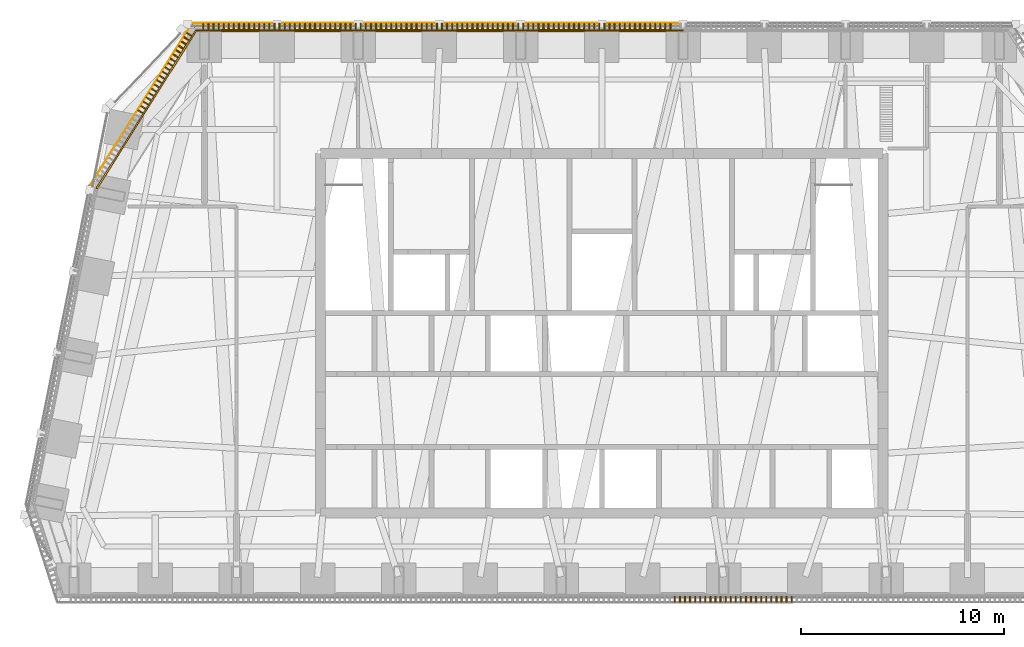
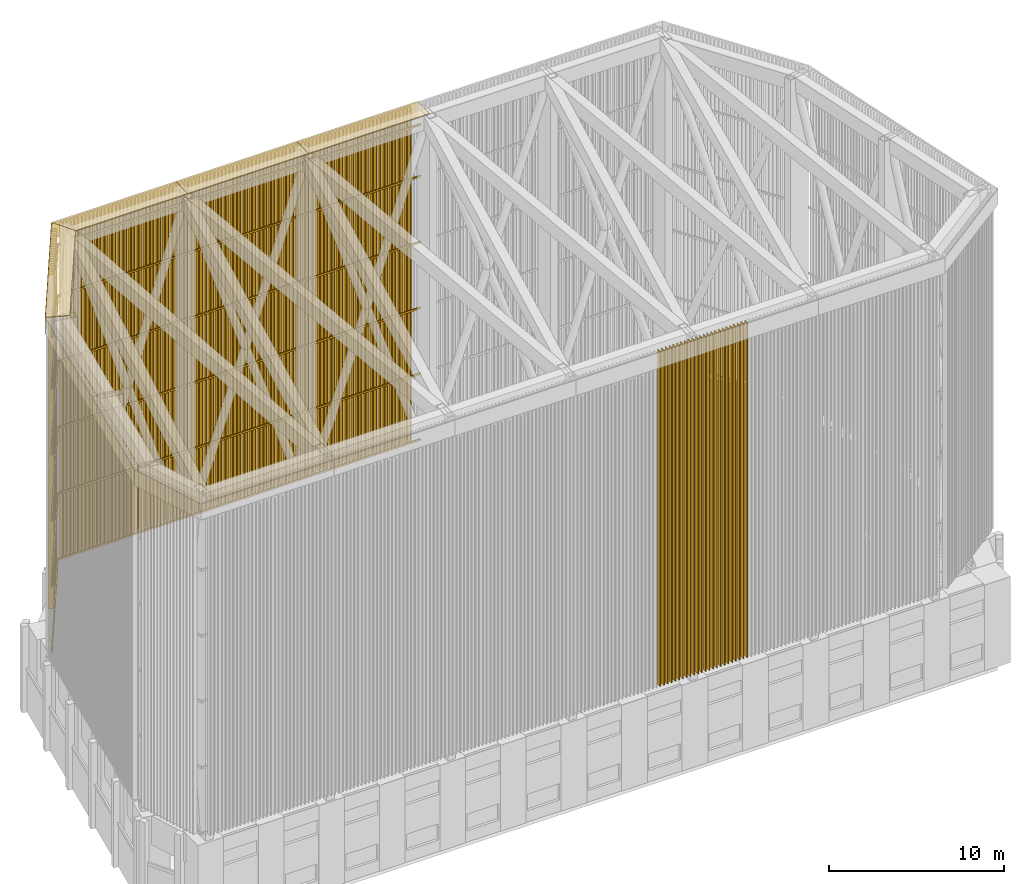
# One storey, part 12 of 15: 160 shading devices, 8 coverings.
"""IFC4 building model written with IfcOpenShell, lengths in metres."""

from ifc_helpers import new_model, si_unit, direction, frame, origin, origin_2d, place, context, subcontext, project, spatial, polyline, rectangle, outline, extrude, material, layer, layer_set, material_profile, profile_set, type_object, element, save


model = new_model("IFC4")

# Units and contexts
model_context = context("Model", 3, precision=1e-05, world=origin(), true_north=direction((0.0, 1.0)))
body_context = subcontext(model_context, "Body", "Model", "MODEL_VIEW")
ifc_project = project(units=[si_unit("LENGTHUNIT", "METRE"), si_unit("AREAUNIT", "SQUARE_METRE"), si_unit("VOLUMEUNIT", "CUBIC_METRE"), si_unit("PLANEANGLEUNIT", "RADIAN"), si_unit("MASSUNIT", "GRAM", prefix="KILO")], contexts=[model_context])

# Site, building, storey
site_placement = place(None, origin())
site = spatial("IfcSite", under=ifc_project, at=site_placement, CompositionType="ELEMENT")
building_placement = place(site_placement, origin())
building = spatial("IfcBuilding", under=site, at=building_placement, Name="Isbrekke Arena Tower", CompositionType="ELEMENT")
storey_placement = place(building_placement, frame((0.0, 0.0, 324.0)))
storey = spatial("IfcBuildingStorey", under=building, at=storey_placement, Name="L76", CompositionType="ELEMENT", Elevation=324.0)

# Shading devices
ifc_material_1 = material(Name="Pre-patinated copper on aluminium core", Category="aluminium")
ifc_material_profile = material_profile(ifc_material_1, rectangle(XDim=0.06005859375, YDim=0.300048828125, at=origin_2d()), Name="FIN 60X300")
ifc_profile_set = profile_set([ifc_material_profile], Name="Pre-patinated copper on aluminium core")
shading_device_type_1 = type_object("IfcShadingDeviceType", Name="CR1 CROWN FIN 60 x 300", PredefinedType="USERDEFINED", material=ifc_profile_set)
for number, where, z_axis, x_axis, name in (
    (1, (3.593017578125, 1.89501953125, 6.60009765625), (0.0, 0.0, 1.0), (1.0, 0.0, 0.0), "CR1 crown fin A120"),
    (2, (3.843017578125, 1.89501953125, 6.60009765625), (0.0, 0.0, 1.0), (1.0, 0.0, 0.0), "CR1 crown fin A121"),
    (3, (4.093017578125, 1.89501953125, 6.60009765625), (0.0, 0.0, 1.0), (1.0, 0.0, 0.0), "CR1 crown fin A122"),
    (4, (4.343017578125, 1.89501953125, 6.60009765625), (0.0, 0.0, 1.0), (1.0, 0.0, 0.0), "CR1 crown fin A123"),
    (5, (4.593017578125, 1.89501953125, 6.60009765625), (0.0, 0.0, 1.0), (1.0, 0.0, 0.0), "CR1 crown fin A124"),
    (6, (4.843017578125, 1.89501953125, 6.60009765625), (0.0, 0.0, 1.0), (1.0, 0.0, 0.0), "CR1 crown fin A125"),
    (7, (5.093017578125, 1.89501953125, 6.60009765625), (0.0, 0.0, 1.0), (1.0, 0.0, 0.0), "CR1 crown fin A126"),
    (8, (5.343017578125, 1.89501953125, 6.60009765625), (0.0, 0.0, 1.0), (1.0, 0.0, 0.0), "CR1 crown fin A127"),
    (9, (5.593017578125, 1.89501953125, 6.60009765625), (0.0, 0.0, 1.0), (1.0, 0.0, 0.0), "CR1 crown fin A128"),
    (10, (5.843017578125, 1.89501953125, 6.60009765625), (0.0, 0.0, 1.0), (1.0, 0.0, 0.0), "CR1 crown fin A129"),
    (11, (6.093017578125, 1.89501953125, 6.60009765625), (0.0, 0.0, 1.0), (1.0, 0.0, 0.0), "CR1 crown fin A130"),
    (12, (6.343017578125, 1.89501953125, 6.60009765625), (0.0, 0.0, 1.0), (1.0, 0.0, 0.0), "CR1 crown fin A131"),
    (13, (6.593017578125, 1.89501953125, 6.60009765625), (0.0, 0.0, 1.0), (1.0, 0.0, 0.0), "CR1 crown fin A132"),
    (14, (6.843017578125, 1.89501953125, 6.60009765625), (0.0, 0.0, 1.0), (1.0, 0.0, 0.0), "CR1 crown fin A133"),
    (15, (7.093017578125, 1.89501953125, 6.60009765625), (0.0, 0.0, 1.0), (1.0, 0.0, 0.0), "CR1 crown fin A134"),
    (16, (7.343017578125, 1.89501953125, 6.60009765625), (0.0, 0.0, 1.0), (1.0, 0.0, 0.0), "CR1 crown fin A135"),
    (17, (7.593017578125, 1.89501953125, 6.60009765625), (0.0, 0.0, 1.0), (1.0, 0.0, 0.0), "CR1 crown fin A136"),
    (18, (7.843017578125, 1.89501953125, 6.60009765625), (0.0, 0.0, 1.0), (1.0, 0.0, 0.0), "CR1 crown fin A137"),
    (19, (8.093017578125, 1.89501953125, 6.60009765625), (0.0, 0.0, 1.0), (1.0, 0.0, 0.0), "CR1 crown fin A138"),
    (20, (8.343017578125, 1.89501953125, 6.60009765625), (0.0, 0.0, 1.0), (1.0, 0.0, 0.0), "CR1 crown fin A139"),
    (21, (8.593017578125, 1.89501953125, 6.60009765625), (0.0, 0.0, 1.0), (1.0, 0.0, 0.0), "CR1 crown fin A140"),
    (22, (8.843017578125, 1.89501953125, 6.60009765625), (0.0, 0.0, 1.0), (1.0, 0.0, 0.0), "CR1 crown fin A141"),
    (23, (9.093017578125, 1.89501953125, 6.60009765625), (0.0, 0.0, 1.0), (1.0, 0.0, 0.0), "CR1 crown fin A142"),
    (24, (9.343017578125, 1.89501953125, 6.60009765625), (0.0, 0.0, 1.0), (1.0, 0.0, 0.0), "CR1 crown fin A143"),
    (25, (3.375, 30.10498046875, 6.60009765625), (0.0, 0.0, 1.0), (-1.0, 0.0, 0.0), "CR1 crown fin E66"),
    (26, (3.125, 30.10498046875, 6.60009765625), (0.0, 0.0, 1.0), (-1.0, 0.0, 0.0), "CR1 crown fin E67"),
    (27, (2.875, 30.10498046875, 6.60009765625), (0.0, 0.0, 1.0), (-1.0, 0.0, 0.0), "CR1 crown fin E68"),
    (28, (2.625, 30.10498046875, 6.60009765625), (0.0, 0.0, 1.0), (-1.0, 0.0, 0.0), "CR1 crown fin E69"),
    (29, (2.375, 30.10498046875, 6.60009765625), (0.0, 0.0, 1.0), (-1.0, 0.0, 0.0), "CR1 crown fin E70"),
    (30, (2.125, 30.10498046875, 6.60009765625), (0.0, 0.0, 1.0), (-1.0, 0.0, 0.0), "CR1 crown fin E71"),
    (31, (1.875, 30.10498046875, 6.60009765625), (0.0, 0.0, 1.0), (-1.0, 0.0, 0.0), "CR1 crown fin E72"),
    (32, (1.625, 30.10498046875, 6.60009765625), (0.0, 0.0, 1.0), (-1.0, 0.0, 0.0), "CR1 crown fin E73"),
    (33, (1.375, 30.10498046875, 6.60009765625), (0.0, 0.0, 1.0), (-1.0, 0.0, 0.0), "CR1 crown fin E74"),
    (34, (1.125, 30.10498046875, 6.60009765625), (0.0, 0.0, 1.0), (-1.0, 0.0, 0.0), "CR1 crown fin E75"),
    (35, (0.875, 30.10498046875, 6.60009765625), (0.0, 0.0, 1.0), (-1.0, 0.0, 0.0), "CR1 crown fin E76"),
    (36, (0.625, 30.10498046875, 6.60009765625), (0.0, 0.0, 1.0), (-1.0, 0.0, 0.0), "CR1 crown fin E77"),
    (37, (0.375, 30.10498046875, 6.60009765625), (0.0, 0.0, 1.0), (-1.0, 0.0, 0.0), "CR1 crown fin E78"),
    (38, (0.125, 30.10498046875, 6.60009765625), (0.0, 0.0, 1.0), (-1.0, 0.0, 0.0), "CR1 crown fin E79"),
    (39, (-0.125, 30.10498046875, 6.60009765625), (0.0, 0.0, 1.0), (-1.0, 0.0, 0.0), "CR1 crown fin E80"),
    (40, (-0.375, 30.10498046875, 6.60009765625), (0.0, 0.0, 1.0), (-1.0, 0.0, 0.0), "CR1 crown fin E81"),
    (41, (-0.625, 30.10498046875, 6.60009765625), (0.0, 0.0, 1.0), (-1.0, 0.0, 0.0), "CR1 crown fin E82"),
    (42, (-0.875, 30.10498046875, 6.60009765625), (0.0, 0.0, 1.0), (-1.0, 0.0, 0.0), "CR1 crown fin E83"),
    (43, (-1.125, 30.10498046875, 6.60009765625), (0.0, 0.0, 1.0), (-1.0, 0.0, 0.0), "CR1 crown fin E84"),
    (44, (-1.375, 30.10498046875, 6.60009765625), (0.0, 0.0, 1.0), (-1.0, 0.0, 0.0), "CR1 crown fin E85"),
    (45, (-1.625, 30.10498046875, 6.60009765625), (0.0, 0.0, 1.0), (-1.0, 0.0, 0.0), "CR1 crown fin E86"),
    (46, (-1.875, 30.10498046875, 6.60009765625), (0.0, 0.0, 1.0), (-1.0, 0.0, 0.0), "CR1 crown fin E87"),
    (47, (-2.125, 30.10498046875, 6.60009765625), (0.0, 0.0, 1.0), (-1.0, 0.0, 0.0), "CR1 crown fin E88"),
    (48, (-2.375, 30.10498046875, 6.60009765625), (0.0, 0.0, 1.0), (-1.0, 0.0, 0.0), "CR1 crown fin E89"),
    (49, (-2.625, 30.10498046875, 6.60009765625), (0.0, 0.0, 1.0), (-1.0, 0.0, 0.0), "CR1 crown fin E90"),
    (50, (-2.875, 30.10498046875, 6.60009765625), (0.0, 0.0, 1.0), (-1.0, 0.0, 0.0), "CR1 crown fin E91"),
    (51, (-3.125, 30.10498046875, 6.60009765625), (0.0, 0.0, 1.0), (-1.0, 0.0, 0.0), "CR1 crown fin E92"),
    (52, (-3.375, 30.10498046875, 6.60009765625), (0.0, 0.0, 1.0), (-1.0, 0.0, 0.0), "CR1 crown fin E93"),
    (53, (-3.625, 30.10498046875, 6.60009765625), (0.0, 0.0, 1.0), (-1.0, 0.0, 0.0), "CR1 crown fin E94"),
    (54, (-3.875, 30.10498046875, 6.60009765625), (0.0, 0.0, 1.0), (-1.0, 0.0, 0.0), "CR1 crown fin E95"),
    (55, (-4.125, 30.10498046875, 6.60009765625), (0.0, 0.0, 1.0), (-1.0, 0.0, 0.0), "CR1 crown fin E96"),
    (56, (-4.375, 30.10498046875, 6.60009765625), (0.0, 0.0, 1.0), (-1.0, 0.0, 0.0), "CR1 crown fin E97"),
    (57, (-4.625, 30.10498046875, 6.60009765625), (0.0, 0.0, 1.0), (-1.0, 0.0, 0.0), "CR1 crown fin E98"),
    (58, (-4.875, 30.10498046875, 6.60009765625), (0.0, 0.0, 1.0), (-1.0, 0.0, 0.0), "CR1 crown fin E99"),
    (59, (-5.125, 30.10498046875, 6.60009765625), (0.0, 0.0, 1.0), (-1.0, 0.0, 0.0), "CR1 crown fin E100"),
    (60, (-5.375, 30.10498046875, 6.60009765625), (0.0, 0.0, 1.0), (-1.0, 0.0, 0.0), "CR1 crown fin E101"),
    (61, (-5.625, 30.10498046875, 6.60009765625), (0.0, 0.0, 1.0), (-1.0, 0.0, 0.0), "CR1 crown fin E102"),
    (62, (-5.875, 30.10498046875, 6.60009765625), (0.0, 0.0, 1.0), (-1.0, 0.0, 0.0), "CR1 crown fin E103"),
    (63, (-6.125, 30.10498046875, 6.60009765625), (0.0, 0.0, 1.0), (-1.0, 0.0, 0.0), "CR1 crown fin E104"),
    (64, (-6.375, 30.10498046875, 6.60009765625), (0.0, 0.0, 1.0), (-1.0, 0.0, 0.0), "CR1 crown fin E105"),
    (65, (-6.625, 30.10498046875, 6.60009765625), (0.0, 0.0, 1.0), (-1.0, 0.0, 0.0), "CR1 crown fin E106"),
    (66, (-6.875, 30.10498046875, 6.60009765625), (0.0, 0.0, 1.0), (-1.0, 0.0, 0.0), "CR1 crown fin E107"),
    (67, (-7.125, 30.10498046875, 6.60009765625), (0.0, 0.0, 1.0), (-1.0, 0.0, 0.0), "CR1 crown fin E108"),
    (68, (-7.375, 30.10498046875, 6.60009765625), (0.0, 0.0, 1.0), (-1.0, 0.0, 0.0), "CR1 crown fin E109"),
    (69, (-7.625, 30.10498046875, 6.60009765625), (0.0, 0.0, 1.0), (-1.0, 0.0, 0.0), "CR1 crown fin E110"),
    (70, (-7.875, 30.10498046875, 6.60009765625), (0.0, 0.0, 1.0), (-1.0, 0.0, 0.0), "CR1 crown fin E111"),
    (71, (-8.125, 30.10498046875, 6.60009765625), (0.0, 0.0, 1.0), (-1.0, 0.0, 0.0), "CR1 crown fin E112"),
    (72, (-8.375, 30.10498046875, 6.60009765625), (0.0, 0.0, 1.0), (-1.0, 0.0, 0.0), "CR1 crown fin E113"),
    (73, (-8.625, 30.10498046875, 6.60009765625), (0.0, 0.0, 1.0), (-1.0, 0.0, 0.0), "CR1 crown fin E114"),
    (74, (-8.875, 30.10498046875, 6.60009765625), (0.0, 0.0, 1.0), (-1.0, 0.0, 0.0), "CR1 crown fin E115"),
    (75, (-9.125, 30.10498046875, 6.60009765625), (0.0, 0.0, 1.0), (-1.0, 0.0, 0.0), "CR1 crown fin E116"),
    (76, (-9.375, 30.10498046875, 6.60009765625), (0.0, 0.0, 1.0), (-1.0, 0.0, 0.0), "CR1 crown fin E117"),
    (77, (-9.625, 30.10498046875, 6.60009765625), (0.0, 0.0, 1.0), (-1.0, 0.0, 0.0), "CR1 crown fin E118"),
    (78, (-9.875, 30.10498046875, 6.60009765625), (0.0, 0.0, 1.0), (-1.0, 0.0, 0.0), "CR1 crown fin E119"),
    (79, (-10.125, 30.10498046875, 6.60009765625), (0.0, 0.0, 1.0), (-1.0, 0.0, 0.0), "CR1 crown fin E120"),
    (80, (-10.375, 30.10498046875, 6.60009765625), (0.0, 0.0, 1.0), (-1.0, 0.0, 0.0), "CR1 crown fin E121"),
    (81, (-10.625, 30.10498046875, 6.60009765625), (0.0, 0.0, 1.0), (-1.0, 0.0, 0.0), "CR1 crown fin E122"),
    (82, (-10.875, 30.10498046875, 6.60009765625), (0.0, 0.0, 1.0), (-1.0, 0.0, 0.0), "CR1 crown fin E123"),
    (83, (-11.125, 30.10498046875, 6.60009765625), (0.0, 0.0, 1.0), (-1.0, 0.0, 0.0), "CR1 crown fin E124"),
    (84, (-11.375, 30.10498046875, 6.60009765625), (0.0, 0.0, 1.0), (-1.0, 0.0, 0.0), "CR1 crown fin E125"),
    (85, (-11.625, 30.10498046875, 6.60009765625), (0.0, 0.0, 1.0), (-1.0, 0.0, 0.0), "CR1 crown fin E126"),
    (86, (-11.875, 30.10498046875, 6.60009765625), (0.0, 0.0, 1.0), (-1.0, 0.0, 0.0), "CR1 crown fin E127"),
    (87, (-12.125, 30.10498046875, 6.60009765625), (0.0, 0.0, 1.0), (-1.0, 0.0, 0.0), "CR1 crown fin E128"),
    (88, (-12.375, 30.10498046875, 6.60009765625), (0.0, 0.0, 1.0), (-1.0, 0.0, 0.0), "CR1 crown fin E129"),
    (89, (-12.625, 30.10498046875, 6.60009765625), (0.0, 0.0, 1.0), (-1.0, 0.0, 0.0), "CR1 crown fin E130"),
    (90, (-12.875, 30.10498046875, 6.60009765625), (0.0, 0.0, 1.0), (-1.0, 0.0, 0.0), "CR1 crown fin E131"),
    (91, (-13.125, 30.10498046875, 6.60009765625), (0.0, 0.0, 1.0), (-1.0, 0.0, 0.0), "CR1 crown fin E132"),
    (92, (-13.375, 30.10498046875, 6.60009765625), (0.0, 0.0, 1.0), (-1.0, 0.0, 0.0), "CR1 crown fin E133"),
    (93, (-13.625, 30.10498046875, 6.60009765625), (0.0, 0.0, 1.0), (-1.0, 0.0, 0.0), "CR1 crown fin E134"),
    (94, (-13.875, 30.10498046875, 6.60009765625), (0.0, 0.0, 1.0), (-1.0, 0.0, 0.0), "CR1 crown fin E135"),
    (95, (-14.125, 30.10498046875, 6.60009765625), (0.0, 0.0, 1.0), (-1.0, 0.0, 0.0), "CR1 crown fin E136"),
    (96, (-14.375, 30.10498046875, 6.60009765625), (0.0, 0.0, 1.0), (-1.0, 0.0, 0.0), "CR1 crown fin E137"),
    (97, (-14.625, 30.10498046875, 6.60009765625), (0.0, 0.0, 1.0), (-1.0, 0.0, 0.0), "CR1 crown fin E138"),
    (98, (-14.875, 30.10498046875, 6.60009765625), (0.0, 0.0, 1.0), (-1.0, 0.0, 0.0), "CR1 crown fin E139"),
    (99, (-15.125, 30.10498046875, 6.60009765625), (0.0, 0.0, 1.0), (-1.0, 0.0, 0.0), "CR1 crown fin E140"),
    (100, (-15.375, 30.10498046875, 6.60009765625), (0.0, 0.0, 1.0), (-1.0, 0.0, 0.0), "CR1 crown fin E141"),
    (101, (-15.625, 30.10498046875, 6.60009765625), (0.0, 0.0, 1.0), (-1.0, 0.0, 0.0), "CR1 crown fin E142"),
    (102, (-15.875, 30.10498046875, 6.60009765625), (0.0, 0.0, 1.0), (-1.0, 0.0, 0.0), "CR1 crown fin E143"),
    (103, (-16.125, 30.10498046875, 6.60009765625), (0.0, 0.0, 1.0), (-1.0, 0.0, 0.0), "CR1 crown fin E144"),
    (104, (-16.375, 30.10498046875, 6.60009765625), (0.0, 0.0, 1.0), (-1.0, 0.0, 0.0), "CR1 crown fin E145"),
    (105, (-16.625, 30.10498046875, 6.60009765625), (0.0, 0.0, 1.0), (-1.0, 0.0, 0.0), "CR1 crown fin E146"),
    (106, (-16.875, 30.10498046875, 6.60009765625), (0.0, 0.0, 1.0), (-1.0, 0.0, 0.0), "CR1 crown fin E147"),
    (107, (-17.125, 30.10498046875, 6.60009765625), (0.0, 0.0, 1.0), (-1.0, 0.0, 0.0), "CR1 crown fin E148"),
    (108, (-17.375, 30.10498046875, 6.60009765625), (0.0, 0.0, 1.0), (-1.0, 0.0, 0.0), "CR1 crown fin E149"),
    (109, (-17.625, 30.10498046875, 6.60009765625), (0.0, 0.0, 1.0), (-1.0, 0.0, 0.0), "CR1 crown fin E150"),
    (110, (-17.875, 30.10498046875, 6.60009765625), (0.0, 0.0, 1.0), (-1.0, 0.0, 0.0), "CR1 crown fin E151"),
    (111, (-18.125, 30.10498046875, 6.60009765625), (0.0, 0.0, 1.0), (-1.0, 0.0, 0.0), "CR1 crown fin E152"),
    (112, (-18.375, 30.10498046875, 6.60009765625), (0.0, 0.0, 1.0), (-1.0, 0.0, 0.0), "CR1 crown fin E153"),
    (113, (-18.625, 30.10498046875, 6.60009765625), (0.0, 0.0, 1.0), (-1.0, 0.0, 0.0), "CR1 crown fin E154"),
    (114, (-18.875, 30.10498046875, 6.60009765625), (0.0, 0.0, 1.0), (-1.0, 0.0, 0.0), "CR1 crown fin E155"),
    (115, (-19.125, 30.10498046875, 6.60009765625), (0.0, 0.0, 1.0), (-1.0, 0.0, 0.0), "CR1 crown fin E156"),
    (116, (-19.375, 30.10498046875, 6.60009765625), (0.0, 0.0, 1.0), (-1.0, 0.0, 0.0), "CR1 crown fin E157"),
    (117, (-19.625, 30.10498046875, 6.60009765625), (0.0, 0.0, 1.0), (-1.0, 0.0, 0.0), "CR1 crown fin E158"),
    (118, (-20.33056640625, 29.720703125, 6.60009765625), (0.0, 0.0, 1.0), (-0.532528793806, -0.846411887775, 0.0), "CR1 crown fin F1"),
    (119, (-20.463623046875, 29.509033203125, 6.60009765625), (0.0, 0.0, 1.0), (-0.532528793806, -0.846411887775, 0.0), "CR1 crown fin F2"),
    (120, (-20.5966796875, 29.29736328125, 6.60009765625), (0.0, 0.0, 1.0), (-0.532528793806, -0.846411887775, 0.0), "CR1 crown fin F3"),
    (121, (-20.72998046875, 29.0859375, 6.60009765625), (0.0, 0.0, 1.0), (-0.532528793806, -0.846411887775, 0.0), "CR1 crown fin F4"),
    (122, (-20.863037109375, 28.874267578125, 6.60009765625), (0.0, 0.0, 1.0), (-0.532528793806, -0.846411887775, 0.0), "CR1 crown fin F5"),
    (123, (-20.99609375, 28.66259765625, 6.60009765625), (0.0, 0.0, 1.0), (-0.532528793806, -0.846411887775, 0.0), "CR1 crown fin F6"),
    (124, (-21.129150390625, 28.450927734375, 6.60009765625), (0.0, 0.0, 1.0), (-0.532528793806, -0.846411887775, 0.0), "CR1 crown fin F7"),
    (125, (-21.262451171875, 28.239501953125, 6.60009765625), (0.0, 0.0, 1.0), (-0.532528793806, -0.846411887775, 0.0), "CR1 crown fin F8"),
    (126, (-21.3955078125, 28.02783203125, 6.60009765625), (0.0, 0.0, 1.0), (-0.532528793806, -0.846411887775, 0.0), "CR1 crown fin F9"),
    (127, (-21.528564453125, 27.816162109375, 6.60009765625), (0.0, 0.0, 1.0), (-0.532528793806, -0.846411887775, 0.0), "CR1 crown fin F10"),
    (128, (-21.661865234375, 27.6044921875, 6.60009765625), (0.0, 0.0, 1.0), (-0.532528793806, -0.846411887775, 0.0), "CR1 crown fin F11"),
    (129, (-21.794921875, 27.39306640625, 6.60009765625), (0.0, 0.0, 1.0), (-0.532528793806, -0.846411887775, 0.0), "CR1 crown fin F12"),
    (130, (-21.927978515625, 27.181396484375, 6.60009765625), (0.0, 0.0, 1.0), (-0.532528793806, -0.846411887775, 0.0), "CR1 crown fin F13"),
    (131, (-22.061279296875, 26.9697265625, 6.60009765625), (0.0, 0.0, 1.0), (-0.532528793806, -0.846411887775, 0.0), "CR1 crown fin F14"),
    (132, (-22.1943359375, 26.75830078125, 6.60009765625), (0.0, 0.0, 1.0), (-0.532528793806, -0.846411887775, 0.0), "CR1 crown fin F15"),
    (133, (-22.327392578125, 26.546630859375, 6.60009765625), (0.0, 0.0, 1.0), (-0.532528793806, -0.846411887775, 0.0), "CR1 crown fin F16"),
    (134, (-22.460693359375, 26.3349609375, 6.60009765625), (0.0, 0.0, 1.0), (-0.532528793806, -0.846411887775, 0.0), "CR1 crown fin F17"),
    (135, (-22.59375, 26.123291015625, 6.60009765625), (0.0, 0.0, 1.0), (-0.532528793806, -0.846411887775, 0.0), "CR1 crown fin F18"),
    (136, (-22.726806640625, 25.911865234375, 6.60009765625), (0.0, 0.0, 1.0), (-0.532528793806, -0.846411887775, 0.0), "CR1 crown fin F19"),
):
    element("IfcShadingDevice", number, at=place(storey_placement, frame(where, z_axis=z_axis, x_axis=x_axis)), inside=storey, type_object=shading_device_type_1, Name=name, ObjectType="CROWN FIN", PredefinedType="USERDEFINED", context=body_context, shape_type="SweptSolid", body=[
        extrude(rectangle(XDim=0.06005859375, YDim=0.300048828125, at=origin_2d()), origin(), (0.0, 0.0, 1.0), 23.39990234375),
    ])
ifc_material_2 = material(Name="Galvanised steel RHS 120 x 80 x 5", Category="steel")
shading_device_type_2 = type_object("IfcShadingDeviceType", Name="CR2 CROWN SCREEN RAIL RHS 120 x 80", PredefinedType="USERDEFINED", material=ifc_material_2)
shading_device_1_placement = place(storey_placement, frame((0.0, 0.0, 6.60009765625)))
element("IfcShadingDevice", 137, at=shading_device_1_placement, inside=storey, type_object=shading_device_type_2, Name="CR2 crown screen rail 1 bay E3", ObjectType="CROWN SCREEN RAIL", PredefinedType="USERDEFINED", context=body_context, shape_type="SweptSolid", body=[
    extrude(outline(polyline([(4.0, 29.875), (-4.0, 29.875), (-4.0, 29.955078125), (4.0, 29.955078125), (4.0, 29.875)])), origin(), (0.0, 0.0, 1.0), 0.119873046875),
])
shading_device_2_placement = place(storey_placement, frame((0.0, 0.0, 11.199951171875)))
element("IfcShadingDevice", 138, at=shading_device_2_placement, inside=storey, type_object=shading_device_type_2, Name="CR2 crown screen rail 2 bay E3", ObjectType="CROWN SCREEN RAIL", PredefinedType="USERDEFINED", context=body_context, shape_type="SweptSolid", body=[
    extrude(outline(polyline([(4.0, 29.875), (-4.0, 29.875), (-4.0, 29.955078125), (4.0, 29.955078125), (4.0, 29.875)])), origin(), (0.0, 0.0, 1.0), 0.1201171875),
])
shading_device_3_placement = place(storey_placement, frame((0.0, 0.0, 15.800048828125)))
element("IfcShadingDevice", 139, at=shading_device_3_placement, inside=storey, type_object=shading_device_type_2, Name="CR2 crown screen rail 3 bay E3", ObjectType="CROWN SCREEN RAIL", PredefinedType="USERDEFINED", context=body_context, shape_type="SweptSolid", body=[
    extrude(outline(polyline([(4.0, 29.875), (-4.0, 29.875), (-4.0, 29.955078125), (4.0, 29.955078125), (4.0, 29.875)])), origin(), (0.0, 0.0, 1.0), 0.119873046875),
])
for number, where, name in (
    (140, (0.0, 0.0, 20.39990234375), "CR2 crown screen rail 4 bay E3"),
    (141, (0.0, 0.0, 25.0), "CR2 crown screen rail 5 bay E3"),
):
    element("IfcShadingDevice", number, at=place(storey_placement, frame(where)), inside=storey, type_object=shading_device_type_2, Name=name, ObjectType="CROWN SCREEN RAIL", PredefinedType="USERDEFINED", context=body_context, shape_type="SweptSolid", body=[
        extrude(outline(polyline([(4.0, 29.875), (-4.0, 29.875), (-4.0, 29.955078125), (4.0, 29.955078125), (4.0, 29.875)])), origin(), (0.0, 0.0, 1.0), 0.1201171875),
    ])
shading_device_4_placement = place(storey_placement, frame((0.0, 0.0, 28.60009765625)))
element("IfcShadingDevice", 142, at=shading_device_4_placement, inside=storey, type_object=shading_device_type_2, Name="CR2 crown screen rail 6 bay E3", ObjectType="CROWN SCREEN RAIL", PredefinedType="USERDEFINED", context=body_context, shape_type="SweptSolid", body=[
    extrude(outline(polyline([(4.0, 29.875), (-4.0, 29.875), (-4.0, 29.955078125), (4.0, 29.955078125), (4.0, 29.875)])), origin(), (0.0, 0.0, 1.0), 0.119873046875),
])
shading_device_5_placement = place(storey_placement, frame((0.0, 0.0, 6.60009765625)))
element("IfcShadingDevice", 143, at=shading_device_5_placement, inside=storey, type_object=shading_device_type_2, Name="CR2 crown screen rail 1 bay E4", ObjectType="CROWN SCREEN RAIL", PredefinedType="USERDEFINED", context=body_context, shape_type="SweptSolid", body=[
    extrude(outline(polyline([(-4.0, 29.875), (-12.0, 29.875), (-12.0, 29.955078125), (-4.0, 29.955078125), (-4.0, 29.875)])), origin(), (0.0, 0.0, 1.0), 0.119873046875),
])
shading_device_6_placement = place(storey_placement, frame((0.0, 0.0, 11.199951171875)))
element("IfcShadingDevice", 144, at=shading_device_6_placement, inside=storey, type_object=shading_device_type_2, Name="CR2 crown screen rail 2 bay E4", ObjectType="CROWN SCREEN RAIL", PredefinedType="USERDEFINED", context=body_context, shape_type="SweptSolid", body=[
    extrude(outline(polyline([(-4.0, 29.875), (-12.0, 29.875), (-12.0, 29.955078125), (-4.0, 29.955078125), (-4.0, 29.875)])), origin(), (0.0, 0.0, 1.0), 0.1201171875),
])
shading_device_7_placement = place(storey_placement, frame((0.0, 0.0, 15.800048828125)))
element("IfcShadingDevice", 145, at=shading_device_7_placement, inside=storey, type_object=shading_device_type_2, Name="CR2 crown screen rail 3 bay E4", ObjectType="CROWN SCREEN RAIL", PredefinedType="USERDEFINED", context=body_context, shape_type="SweptSolid", body=[
    extrude(outline(polyline([(-4.0, 29.875), (-12.0, 29.875), (-12.0, 29.955078125), (-4.0, 29.955078125), (-4.0, 29.875)])), origin(), (0.0, 0.0, 1.0), 0.119873046875),
])
for number, where, name in (
    (146, (0.0, 0.0, 20.39990234375), "CR2 crown screen rail 4 bay E4"),
    (147, (0.0, 0.0, 25.0), "CR2 crown screen rail 5 bay E4"),
):
    element("IfcShadingDevice", number, at=place(storey_placement, frame(where)), inside=storey, type_object=shading_device_type_2, Name=name, ObjectType="CROWN SCREEN RAIL", PredefinedType="USERDEFINED", context=body_context, shape_type="SweptSolid", body=[
        extrude(outline(polyline([(-4.0, 29.875), (-12.0, 29.875), (-12.0, 29.955078125), (-4.0, 29.955078125), (-4.0, 29.875)])), origin(), (0.0, 0.0, 1.0), 0.1201171875),
    ])
shading_device_8_placement = place(storey_placement, frame((0.0, 0.0, 28.60009765625)))
element("IfcShadingDevice", 148, at=shading_device_8_placement, inside=storey, type_object=shading_device_type_2, Name="CR2 crown screen rail 6 bay E4", ObjectType="CROWN SCREEN RAIL", PredefinedType="USERDEFINED", context=body_context, shape_type="SweptSolid", body=[
    extrude(outline(polyline([(-4.0, 29.875), (-12.0, 29.875), (-12.0, 29.955078125), (-4.0, 29.955078125), (-4.0, 29.875)])), origin(), (0.0, 0.0, 1.0), 0.119873046875),
])
shading_device_9_placement = place(storey_placement, frame((0.0, 0.0, 6.60009765625)))
element("IfcShadingDevice", 149, at=shading_device_9_placement, inside=storey, type_object=shading_device_type_2, Name="CR2 crown screen rail 1 bay E5", ObjectType="CROWN SCREEN RAIL", PredefinedType="USERDEFINED", context=body_context, shape_type="SweptSolid", body=[
    extrude(outline(polyline([(-12.0, 29.875), (-19.961669921875, 29.875), (-20.005859375, 29.955078125), (-12.0, 29.955078125), (-12.0, 29.875)])), origin(), (0.0, 0.0, 1.0), 0.119873046875),
])
shading_device_10_placement = place(storey_placement, frame((0.0, 0.0, 11.199951171875)))
element("IfcShadingDevice", 150, at=shading_device_10_placement, inside=storey, type_object=shading_device_type_2, Name="CR2 crown screen rail 2 bay E5", ObjectType="CROWN SCREEN RAIL", PredefinedType="USERDEFINED", context=body_context, shape_type="SweptSolid", body=[
    extrude(outline(polyline([(-12.0, 29.875), (-19.961669921875, 29.875), (-20.005859375, 29.955078125), (-12.0, 29.955078125), (-12.0, 29.875)])), origin(), (0.0, 0.0, 1.0), 0.1201171875),
])
shading_device_11_placement = place(storey_placement, frame((0.0, 0.0, 15.800048828125)))
element("IfcShadingDevice", 151, at=shading_device_11_placement, inside=storey, type_object=shading_device_type_2, Name="CR2 crown screen rail 3 bay E5", ObjectType="CROWN SCREEN RAIL", PredefinedType="USERDEFINED", context=body_context, shape_type="SweptSolid", body=[
    extrude(outline(polyline([(-12.0, 29.875), (-19.961669921875, 29.875), (-20.005859375, 29.955078125), (-12.0, 29.955078125), (-12.0, 29.875)])), origin(), (0.0, 0.0, 1.0), 0.119873046875),
])
for number, where, name in (
    (152, (0.0, 0.0, 20.39990234375), "CR2 crown screen rail 4 bay E5"),
    (153, (0.0, 0.0, 25.0), "CR2 crown screen rail 5 bay E5"),
):
    element("IfcShadingDevice", number, at=place(storey_placement, frame(where)), inside=storey, type_object=shading_device_type_2, Name=name, ObjectType="CROWN SCREEN RAIL", PredefinedType="USERDEFINED", context=body_context, shape_type="SweptSolid", body=[
        extrude(outline(polyline([(-12.0, 29.875), (-19.961669921875, 29.875), (-20.005859375, 29.955078125), (-12.0, 29.955078125), (-12.0, 29.875)])), origin(), (0.0, 0.0, 1.0), 0.1201171875),
    ])
shading_device_12_placement = place(storey_placement, frame((0.0, 0.0, 28.60009765625)))
element("IfcShadingDevice", 154, at=shading_device_12_placement, inside=storey, type_object=shading_device_type_2, Name="CR2 crown screen rail 6 bay E5", ObjectType="CROWN SCREEN RAIL", PredefinedType="USERDEFINED", context=body_context, shape_type="SweptSolid", body=[
    extrude(outline(polyline([(-12.0, 29.875), (-19.961669921875, 29.875), (-20.005859375, 29.955078125), (-12.0, 29.955078125), (-12.0, 29.875)])), origin(), (0.0, 0.0, 1.0), 0.119873046875),
])
shading_device_13_placement = place(storey_placement, frame((0.0, 0.0, 6.60009765625)))
element("IfcShadingDevice", 155, at=shading_device_13_placement, inside=storey, type_object=shading_device_type_2, Name="CR2 crown screen rail 1 bay F1", ObjectType="CROWN SCREEN RAIL", PredefinedType="USERDEFINED", context=body_context, shape_type="SweptSolid", body=[
    extrude(outline(polyline([(-19.961669921875, 29.875), (-24.85205078125, 22.101806640625), (-24.927734375, 22.132080078125), (-20.005859375, 29.955078125), (-19.961669921875, 29.875)])), origin(), (0.0, 0.0, 1.0), 0.119873046875),
])
shading_device_14_placement = place(storey_placement, frame((0.0, 0.0, 11.199951171875)))
element("IfcShadingDevice", 156, at=shading_device_14_placement, inside=storey, type_object=shading_device_type_2, Name="CR2 crown screen rail 2 bay F1", ObjectType="CROWN SCREEN RAIL", PredefinedType="USERDEFINED", context=body_context, shape_type="SweptSolid", body=[
    extrude(outline(polyline([(-19.961669921875, 29.875), (-24.85205078125, 22.101806640625), (-24.927734375, 22.132080078125), (-20.005859375, 29.955078125), (-19.961669921875, 29.875)])), origin(), (0.0, 0.0, 1.0), 0.1201171875),
])
shading_device_15_placement = place(storey_placement, frame((0.0, 0.0, 15.800048828125)))
element("IfcShadingDevice", 157, at=shading_device_15_placement, inside=storey, type_object=shading_device_type_2, Name="CR2 crown screen rail 3 bay F1", ObjectType="CROWN SCREEN RAIL", PredefinedType="USERDEFINED", context=body_context, shape_type="SweptSolid", body=[
    extrude(outline(polyline([(-19.961669921875, 29.875), (-24.85205078125, 22.101806640625), (-24.927734375, 22.132080078125), (-20.005859375, 29.955078125), (-19.961669921875, 29.875)])), origin(), (0.0, 0.0, 1.0), 0.119873046875),
])
for number, where, name in (
    (158, (0.0, 0.0, 20.39990234375), "CR2 crown screen rail 4 bay F1"),
    (159, (0.0, 0.0, 25.0), "CR2 crown screen rail 5 bay F1"),
):
    element("IfcShadingDevice", number, at=place(storey_placement, frame(where)), inside=storey, type_object=shading_device_type_2, Name=name, ObjectType="CROWN SCREEN RAIL", PredefinedType="USERDEFINED", context=body_context, shape_type="SweptSolid", body=[
        extrude(outline(polyline([(-19.961669921875, 29.875), (-24.85205078125, 22.101806640625), (-24.927734375, 22.132080078125), (-20.005859375, 29.955078125), (-19.961669921875, 29.875)])), origin(), (0.0, 0.0, 1.0), 0.1201171875),
    ])
shading_device_16_placement = place(storey_placement, frame((0.0, 0.0, 28.60009765625)))
element("IfcShadingDevice", 160, at=shading_device_16_placement, inside=storey, type_object=shading_device_type_2, Name="CR2 crown screen rail 6 bay F1", ObjectType="CROWN SCREEN RAIL", PredefinedType="USERDEFINED", context=body_context, shape_type="SweptSolid", body=[
    extrude(outline(polyline([(-19.961669921875, 29.875), (-24.85205078125, 22.101806640625), (-24.927734375, 22.132080078125), (-20.005859375, 29.955078125), (-19.961669921875, 29.875)])), origin(), (0.0, 0.0, 1.0), 0.119873046875),
])

# Coverings
ifc_material_3 = material(Name="Pre-patinated copper sheet on plywood deck", Category="wood")
ifc_layer_1 = layer(ifc_material_3, 0.06005859375)
ifc_layer_set_1 = layer_set([ifc_layer_1], Name="CR3 CROWN CAP COPING")
covering_type_1 = type_object("IfcCoveringType", Name="CR3 CROWN CAP COPING", PredefinedType="CLADDING", material=ifc_layer_set_1)
covering_1_placement = place(storey_placement, frame((0.0, 0.0, 30.0)))
element("IfcCovering", 161, at=covering_1_placement, inside=storey, type_object=covering_type_1, Name="CR3 crown cap coping bay E3", PredefinedType="CLADDING", context=body_context, shape_type="SweptSolid", body=[
    extrude(outline(polyline([(4.0, 28.875), (-4.0, 28.875), (-4.0, 30.284912109375), (4.0, 30.284912109375), (4.0, 28.875)])), origin(), (0.0, 0.0, 1.0), 0.06005859375),
])
covering_2_placement = place(storey_placement, frame((0.0, 0.0, 30.0)))
element("IfcCovering", 162, at=covering_2_placement, inside=storey, type_object=covering_type_1, Name="CR3 crown cap coping bay E4", PredefinedType="CLADDING", context=body_context, shape_type="SweptSolid", body=[
    extrude(outline(polyline([(-4.0, 28.875), (-12.0, 28.875), (-12.0, 30.284912109375), (-4.0, 30.284912109375), (-4.0, 28.875)])), origin(), (0.0, 0.0, 1.0), 0.06005859375),
])
covering_3_placement = place(storey_placement, frame((0.0, 0.0, 30.0)))
element("IfcCovering", 163, at=covering_3_placement, inside=storey, type_object=covering_type_1, Name="CR3 crown cap coping bay E5", PredefinedType="CLADDING", context=body_context, shape_type="SweptSolid", body=[
    extrude(outline(polyline([(-12.0, 28.875), (-19.409423828125, 28.875), (-20.18798828125, 30.284912109375), (-12.0, 30.284912109375), (-12.0, 28.875)])), origin(), (0.0, 0.0, 1.0), 0.06005859375),
])
covering_4_placement = place(storey_placement, frame((0.0, 0.0, 30.0)))
element("IfcCovering", 164, at=covering_4_placement, inside=storey, type_object=covering_type_1, Name="CR3 crown cap coping bay F1", PredefinedType="CLADDING", context=body_context, shape_type="SweptSolid", body=[
    extrude(outline(polyline([(-19.409423828125, 28.875), (-23.90771484375, 21.72509765625), (-25.239501953125, 22.25634765625), (-20.18798828125, 30.284912109375), (-19.409423828125, 28.875)])), origin(), (0.0, 0.0, 1.0), 0.06005859375),
])
ifc_material_4 = material(Name="Pre-patinated copper sheet", Category="metal")
ifc_layer_2 = layer(ifc_material_4, 0.030029296875)
ifc_layer_set_2 = layer_set([ifc_layer_2], Name="CR4 CROWN CAP FASCIA")
covering_type_2 = type_object("IfcCoveringType", Name="CR4 CROWN CAP FASCIA", PredefinedType="CLADDING", material=ifc_layer_set_2)
covering_5_placement = place(storey_placement, frame((0.0, 0.0, 28.89990234375)))
element("IfcCovering", 165, at=covering_5_placement, inside=storey, type_object=covering_type_2, Name="CR4 crown cap fascia bay E3", PredefinedType="CLADDING", context=body_context, shape_type="SweptSolid", body=[
    extrude(outline(polyline([(4.0, 30.2548828125), (-4.0, 30.2548828125), (-4.0, 30.284912109375), (4.0, 30.284912109375), (4.0, 30.2548828125)])), origin(), (0.0, 0.0, 1.0), 1.10009765625),
])
covering_6_placement = place(storey_placement, frame((0.0, 0.0, 28.89990234375)))
element("IfcCovering", 166, at=covering_6_placement, inside=storey, type_object=covering_type_2, Name="CR4 crown cap fascia bay E4", PredefinedType="CLADDING", context=body_context, shape_type="SweptSolid", body=[
    extrude(outline(polyline([(-4.0, 30.2548828125), (-12.0, 30.2548828125), (-12.0, 30.284912109375), (-4.0, 30.284912109375), (-4.0, 30.2548828125)])), origin(), (0.0, 0.0, 1.0), 1.10009765625),
])
covering_7_placement = place(storey_placement, frame((0.0, 0.0, 28.89990234375)))
element("IfcCovering", 167, at=covering_7_placement, inside=storey, type_object=covering_type_2, Name="CR4 crown cap fascia bay E5", PredefinedType="CLADDING", context=body_context, shape_type="SweptSolid", body=[
    extrude(outline(polyline([(-12.0, 30.2548828125), (-20.17138671875, 30.2548828125), (-20.18798828125, 30.284912109375), (-12.0, 30.284912109375), (-12.0, 30.2548828125)])), origin(), (0.0, 0.0, 1.0), 1.10009765625),
])
covering_8_placement = place(storey_placement, frame((0.0, 0.0, 28.89990234375)))
element("IfcCovering", 168, at=covering_8_placement, inside=storey, type_object=covering_type_2, Name="CR4 crown cap fascia bay F1", PredefinedType="CLADDING", context=body_context, shape_type="SweptSolid", body=[
    extrude(outline(polyline([(-20.17138671875, 30.2548828125), (-25.2109375, 22.2451171875), (-25.239501953125, 22.25634765625), (-20.18798828125, 30.284912109375), (-20.17138671875, 30.2548828125)])), origin(), (0.0, 0.0, 1.0), 1.10009765625),
])

save(model, "model.ifc")
